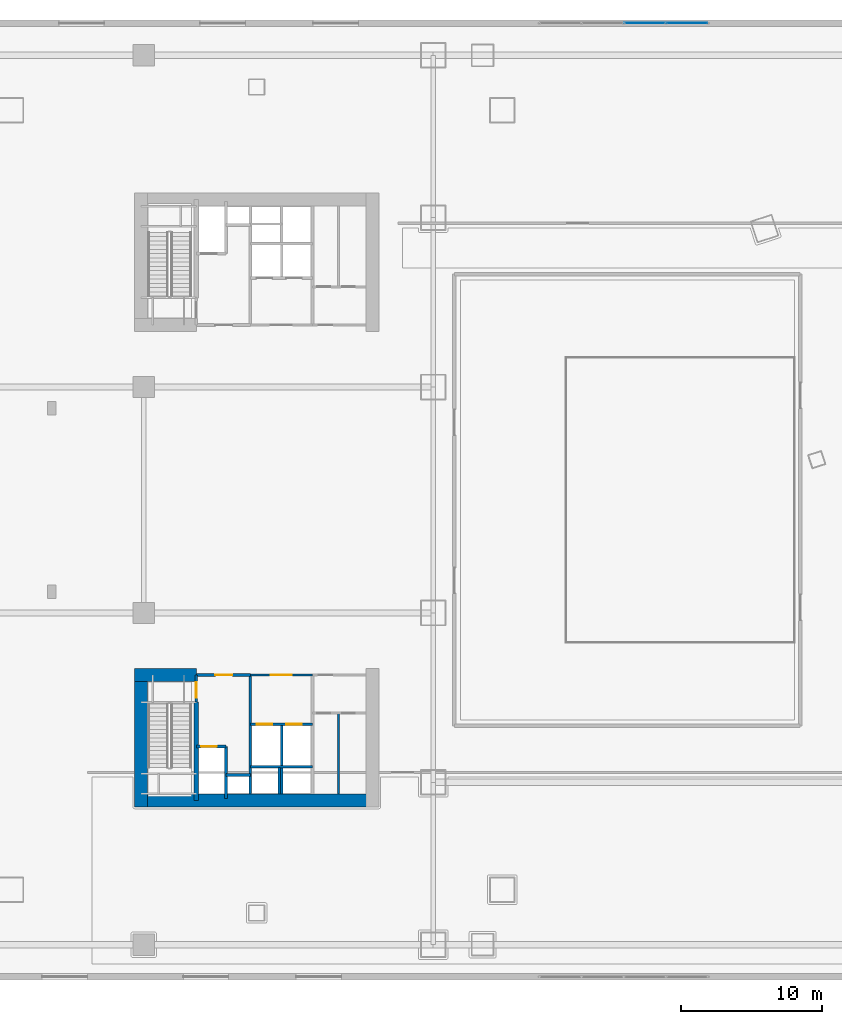
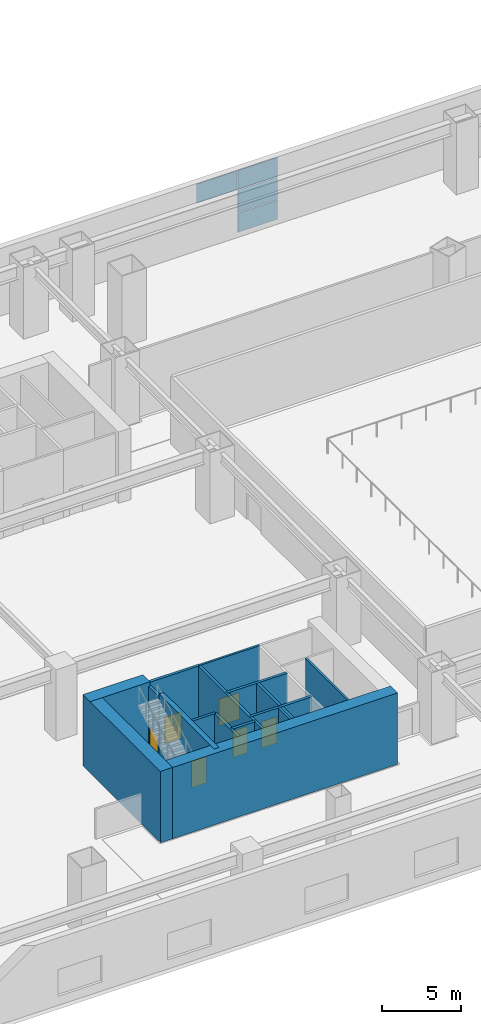
# One storey, part 22 of 35: 16 walls, 6 doors, 4 plates, 6 openings, 1 element without a shape of its own.
"""IFC4 building model written with IfcOpenShell, lengths in metres."""

import ifcopenshell
import ifcopenshell.guid

model = None  # the IFC model being written
_history = None  # IfcOwnerHistory: only IFC2X3 demands one
_inside = {}  # id of a spatial element -> (the spatial element, [elements in it])
_under = {}  # id of a project, library or spatial element -> (it, [spatial elements below it])
_declared = {}  # id of a project -> (the project, [libraries it declares])
_typed = {}  # id of a type object -> (the type object, [elements of that type])
_made_of = {}  # id of a material, layer set ... -> (it, [elements and type objects made of it])


def new_model(schema):
    """Start an empty IFC model of exactly this schema.

    Asked for "IFC4X3", IfcOpenShell would pick the latest addendum, in which some entities
    have other attributes; the version numbers below select the first issue.
    IFC2X3 requires an IfcOwnerHistory on every rooted entity: one is made here for all.
    """
    global model, _history
    if schema == "IFC4X3":
        model = ifcopenshell.file(schema_version=(4, 3, 0, 0))
    else:
        model = ifcopenshell.file(schema=schema)
    _inside.clear()
    _under.clear()
    _declared.clear()
    _typed.clear()
    _made_of.clear()
    _history = None
    if model.schema == "IFC2X3":
        org = make("IfcOrganization", Name="unknown")
        user = make(
            "IfcPersonAndOrganization",
            ThePerson=make("IfcPerson", FamilyName="unknown"),
            TheOrganization=org,
        )
        app = make(
            "IfcApplication",
            ApplicationDeveloper=org,
            Version="unknown",
            ApplicationFullName="unknown",
            ApplicationIdentifier="unknown",
        )
        _history = make(
            "IfcOwnerHistory",
            OwningUser=user,
            OwningApplication=app,
            ChangeAction="ADDED",
            CreationDate=0,
        )
    return model


def make(cls, **values):
    """One entity of the class cls with the attributes given. An attribute that is None is left unset."""
    return model.create_entity(
        cls, **{name: value for name, value in values.items() if value is not None}
    )


def rooted(cls, **values):
    """An entity with a GlobalId (a new one), such as an element, a storey or a relation."""
    return make(cls, GlobalId=ifcopenshell.guid.new(), OwnerHistory=_history, **values)


def si_unit(unit_type, name, prefix=None):
    """IfcSIUnit, for example si_unit("LENGTHUNIT", "METRE", prefix="MILLI")."""
    return make("IfcSIUnit", UnitType=unit_type, Prefix=prefix, Name=name)


def assignment(units):
    """IfcUnitAssignment: the units of a project."""
    return None if units is None else make("IfcUnitAssignment", Units=units)


def point(xyz):
    """IfcCartesianPoint."""
    return None if xyz is None else make("IfcCartesianPoint", Coordinates=xyz)


def direction(xyz):
    """IfcDirection."""
    return None if xyz is None else make("IfcDirection", DirectionRatios=xyz)


def frame(location, z_axis=None, x_axis=None):
    """IfcAxis2Placement3D, a coordinate frame: its origin and axes. An axis left out is left unset."""
    return make(
        "IfcAxis2Placement3D",
        Location=point(location),
        Axis=direction(z_axis),
        RefDirection=direction(x_axis),
    )


def frame_2d(location, x_axis=None):
    """IfcAxis2Placement2D, a coordinate frame in the plane: its origin and x axis."""
    return make(
        "IfcAxis2Placement2D", Location=point(location), RefDirection=direction(x_axis)
    )


def origin():
    """The frame at (0, 0, 0) with its axes left unset."""
    return frame((0.0, 0.0, 0.0))


def origin_2d():
    """The frame at (0, 0) in the plane with its x axis left unset."""
    return frame_2d((0.0, 0.0))


def place(relative_to, where):
    """IfcLocalPlacement: puts the frame where relative to a parent placement (None: the world)."""
    return make(
        "IfcLocalPlacement", PlacementRelTo=relative_to, RelativePlacement=where
    )


def context(
    kind, dimensions, precision=None, world=None, true_north=None, identifier=None
):
    """IfcGeometricRepresentationContext, for example the 3D "Model" context."""
    return make(
        "IfcGeometricRepresentationContext",
        ContextIdentifier=identifier,
        ContextType=kind,
        CoordinateSpaceDimension=dimensions,
        Precision=precision,
        WorldCoordinateSystem=world,
        TrueNorth=true_north,
    )


def subcontext(parent, identifier, kind, view, scale=None):
    """IfcGeometricRepresentationSubContext, for example "Body" below "Model"."""
    return make(
        "IfcGeometricRepresentationSubContext",
        ContextIdentifier=identifier,
        ContextType=kind,
        ParentContext=parent,
        TargetScale=scale,
        TargetView=view,
    )


def project(units=None, contexts=None):
    """IfcProject with its units and contexts."""
    return rooted(
        "IfcProject",
        Name="project",
        RepresentationContexts=contexts,
        UnitsInContext=assignment(units),
    )


def spatial(cls, under=None, at=None, **own):
    """A site, building, storey or space (cls), placed at a placement, below another one or the project."""
    s = rooted(cls, ObjectPlacement=at, **own)
    if under is not None:
        _under.setdefault(under.id(), (under, []))[1].append(s)
    return s


def profile(cls, at=None, kind="AREA", **sizes):
    """A parametric profile (cls). Its sizes go by their IFC names, for example OverallWidth=200.0."""
    return make(cls, ProfileType=kind, Position=at, **sizes)


def rectangle(**sizes):
    """IfcRectangleProfileDef."""
    return profile("IfcRectangleProfileDef", **sizes)


def extrude(swept, where, along, depth):
    """IfcExtrudedAreaSolid: the profile swept, set in the frame where, extruded along a direction by depth."""
    return make(
        "IfcExtrudedAreaSolid",
        SweptArea=swept,
        Position=where,
        ExtrudedDirection=direction(along),
        Depth=depth,
    )


def shape(context_of_items, identifier, shape_type, items):
    """IfcShapeRepresentation: the items that make up one representation, for example the "Body"."""
    return make(
        "IfcShapeRepresentation",
        ContextOfItems=context_of_items,
        RepresentationIdentifier=identifier,
        RepresentationType=shape_type,
        Items=items,
    )


def material(Name=None, Category=None):
    """IfcMaterial."""
    return make("IfcMaterial", Name=Name, Category=Category)


def layer(
    of_material, thickness, ventilated=None, Name=None, Category=None, Priority=None
):
    """IfcMaterialLayer: one layer of a wall or slab, of a material (None: an air gap)."""
    return make(
        "IfcMaterialLayer",
        Material=of_material,
        LayerThickness=thickness,
        IsVentilated=ventilated,
        Name=Name,
        Category=Category,
        Priority=Priority,
    )


def layer_set(layers, Name=None):
    """IfcMaterialLayerSet."""
    return make("IfcMaterialLayerSet", MaterialLayers=layers, LayerSetName=Name)


def made_of(thing, what):
    """Note that an element or type object is made of a material, layer set ...; save() writes the relation."""
    if what is not None:
        _made_of.setdefault(what.id(), (what, []))[1].append(thing)
    return thing


def type_object(cls, material=None, **own):
    """A type object (cls), such as IfcWallType, which elements share."""
    return made_of(rooted(cls, **own), material)


def element(
    cls,
    number,
    at=None,
    inside=None,
    cuts=None,
    type_object=None,
    material=None,
    context=None,
    identifier="Body",
    shape_type=None,
    held_by="IfcProductDefinitionShape",
    body=None,
    shapes=None,
    **own,
):
    """One element of the class cls, such as IfcWall. Its Tag is "e" and its number.

    at: its placement. inside: the storey or other place that contains it. cuts: it is an
    opening in that element (IfcRelVoidsElement). A single representation is given by context,
    identifier, shape_type and body (its items); several are given by shapes. held_by: the class
    of the entity that holds the representations. save() writes the other relations.
    """
    e = rooted(cls, Tag="e%d" % number, ObjectPlacement=at, **own)
    if body is not None:
        shapes = [shape(context, identifier, shape_type, body)]
    if shapes is not None:
        e.Representation = make(held_by, Representations=shapes)
    if inside is not None:
        _inside.setdefault(inside.id(), (inside, []))[1].append(e)
    if cuts is not None:
        rooted(
            "IfcRelVoidsElement", RelatingBuildingElement=cuts, RelatedOpeningElement=e
        )
    if type_object is not None:
        _typed.setdefault(type_object.id(), (type_object, []))[1].append(e)
    return made_of(e, material)


def fill(opening, filler):
    """IfcRelFillsElement: the door or window that sits in an opening."""
    return rooted(
        "IfcRelFillsElement",
        RelatingOpeningElement=opening,
        RelatedBuildingElement=filler,
    )


def aggregate(whole, parts):
    """IfcRelAggregates: a whole, such as a stair, and the parts it consists of."""
    return rooted("IfcRelAggregates", RelatingObject=whole, RelatedObjects=parts)


def save(model, path):
    """Write the relations noted so far, then the file.

    IfcRelAggregates (storeys below a building ...), IfcRelContainedInSpatialStructure (elements
    in a storey), IfcRelDefinesByType, IfcRelAssociatesMaterial and IfcRelDeclares: one each for
    every whole, place, type object, material and project.
    """
    for whole, parts in _under.values():
        aggregate(whole, parts)
    for where, things in _inside.values():
        rooted(
            "IfcRelContainedInSpatialStructure",
            RelatedElements=things,
            RelatingStructure=where,
        )
    for kind, things in _typed.values():
        rooted("IfcRelDefinesByType", RelatedObjects=things, RelatingType=kind)
    for what, things in _made_of.values():
        rooted("IfcRelAssociatesMaterial", RelatedObjects=things, RelatingMaterial=what)
    for by, libraries in _declared.values():
        rooted("IfcRelDeclares", RelatingContext=by, RelatedDefinitions=libraries)
    model.write(path)


model = new_model("IFC4")

# Units and contexts
model_context = context("Model", 3, precision=1e-05, world=origin(), true_north=direction((0.0, 1.0)))
body_context = subcontext(model_context, "Body", "Model", "MODEL_VIEW")
ifc_project = project(units=[si_unit("LENGTHUNIT", "METRE"), si_unit("AREAUNIT", "SQUARE_METRE"), si_unit("VOLUMEUNIT", "CUBIC_METRE"), si_unit("PLANEANGLEUNIT", "RADIAN"), si_unit("MASSUNIT", "GRAM", prefix="KILO")], contexts=[model_context])

# Site, building, storey
site_placement = place(None, origin())
site = spatial("IfcSite", under=ifc_project, at=site_placement, CompositionType="ELEMENT")
building_placement = place(site_placement, origin())
building = spatial("IfcBuilding", under=site, at=building_placement, Name="Qiaolan Cultural Towers", CompositionType="ELEMENT")
storey_placement = place(building_placement, frame((0.0, 0.0, 6.0)))
storey = spatial("IfcBuildingStorey", under=building, at=storey_placement, Name="L01", CompositionType="ELEMENT", Elevation=6.0)

# Curtain wall, plates
ifc_material_1 = material(Name="Unitized Anodized Aluminium Curtain Wall System", Category="aluminium")
ifc_layer_1 = layer(ifc_material_1, 0.199951171875)
ifc_layer_set_1 = layer_set([ifc_layer_1], Name="Unitized Anodized Aluminium Curtain Wall System")
curtain_wall_type = type_object("IfcCurtainWallType", Name="CWS-01", PredefinedType="NOTDEFINED", material=ifc_layer_set_1)
curtain_wall_placement = place(storey_placement, origin())
curtain_wall = element("IfcCurtainWall", 1, at=curtain_wall_placement, inside=storey, type_object=curtain_wall_type, Name="L01 North Atrium Curtain Wall", PredefinedType="NOTDEFINED")
ifc_material_2 = material(Name="Laminated Low-E Insulating Glass Unit", Category="glass")
ifc_layer_2 = layer(ifc_material_2, 0.035888671875)
ifc_layer_set_2 = layer_set([ifc_layer_2], Name="Laminated Low-E Insulating Glass Unit")
plate_type = type_object("IfcPlateType", Name="CWS-01-PNL", PredefinedType="CURTAIN_PANEL", material=ifc_layer_set_2)
plate_1_placement = place(storey_placement, frame((57.5, 67.780029296875, 3.5126953125), z_axis=(0.0, 0.0, 1.0), x_axis=(1.0, 0.0, 0.0)))
plate_1 = element("IfcPlate", 2, at=plate_1_placement, type_object=plate_type, Name="CW-1 panel 3.3", PredefinedType="CURTAIN_PANEL", context=body_context, shape_type="SweptSolid", body=[
    extrude(rectangle(XDim=2.925048828125, YDim=0.035888671875, at=origin_2d()), origin(), (0.0, 0.0, 1.0), 1.472412109375),
])
plate_2_placement = place(storey_placement, frame((60.481201171875, 67.780029296875, 0.21484375), z_axis=(0.0, 0.0, 1.0), x_axis=(1.0, 0.0, 0.0)))
plate_2 = element("IfcPlate", 3, at=plate_2_placement, type_object=plate_type, Name="CW-1 panel 4.1", PredefinedType="CURTAIN_PANEL", context=body_context, shape_type="SweptSolid", body=[
    extrude(rectangle(XDim=2.887451171875, YDim=0.035888671875, at=origin_2d()), origin(), (0.0, 0.0, 1.0), 1.472412109375),
])
plate_3_placement = place(storey_placement, frame((60.481201171875, 67.780029296875, 1.75244140625), z_axis=(0.0, 0.0, 1.0), x_axis=(1.0, 0.0, 0.0)))
plate_3 = element("IfcPlate", 4, at=plate_3_placement, type_object=plate_type, Name="CW-1 panel 4.2", PredefinedType="CURTAIN_PANEL", context=body_context, shape_type="SweptSolid", body=[
    extrude(rectangle(XDim=2.887451171875, YDim=0.035888671875, at=origin_2d()), origin(), (0.0, 0.0, 1.0), 1.695068359375),
])
plate_4_placement = place(storey_placement, frame((60.481201171875, 67.780029296875, 3.5126953125), z_axis=(0.0, 0.0, 1.0), x_axis=(1.0, 0.0, 0.0)))
plate_4 = element("IfcPlate", 5, at=plate_4_placement, type_object=plate_type, Name="CW-1 panel 4.3", PredefinedType="CURTAIN_PANEL", context=body_context, shape_type="SweptSolid", body=[
    extrude(rectangle(XDim=2.887451171875, YDim=0.035888671875, at=origin_2d()), origin(), (0.0, 0.0, 1.0), 1.472412109375),
])
aggregate(curtain_wall, [plate_1, plate_2, plate_3, plate_4])

# Walls
ifc_material_3 = material(Name="Concrete C50", Category="concrete")
ifc_layer_3 = layer(ifc_material_3, 0.35009765625)
ifc_layer_set_3 = layer_set([ifc_layer_3], Name="Concrete C50")
wall_type_1 = type_object("IfcWallType", Name="WL-CORE-350", PredefinedType="SHEAR", material=ifc_layer_set_3)
wall_1_placement = place(storey_placement, frame((25.719970703125, 19.699951171875, 0.0), z_axis=(0.0, 0.0, 1.0), x_axis=(0.0, -1.0, 0.0)))
element("IfcWall", 6, at=wall_1_placement, inside=storey, type_object=wall_type_1, Name="L01 T1-CS Stair Core Dividing Web", PredefinedType="SHEAR", context=body_context, shape_type="SweptSolid", body=[
    extrude(rectangle(XDim=6.97998046875, YDim=0.35009765625, at=frame_2d((3.489990234375, 0.0))), origin(), (0.0, 0.0, 1.0), 5.5),
])
ifc_material_4 = material(Name="Concrete C60", Category="concrete")
ifc_layer_4 = layer(ifc_material_4, 0.89990234375)
ifc_layer_set_4 = layer_set([ifc_layer_4], Name="Concrete C60")
wall_type_2 = type_object("IfcWallType", Name="WL-CORE-900", PredefinedType="SHEAR", material=ifc_layer_set_4)
wall_2_placement = place(storey_placement, frame((21.35009765625, 12.719970703125, 0.0), z_axis=(0.0, 0.0, 1.0), x_axis=(1.0, 0.0, 0.0)))
element("IfcWall", 7, at=wall_2_placement, inside=storey, type_object=wall_type_2, Name="L01 T1-CS Outer Core Shear Wall", PredefinedType="SHEAR", context=body_context, shape_type="SweptSolid", body=[
    extrude(rectangle(XDim=17.2998046875, YDim=0.89990234375, at=frame_2d((8.64990234375, 0.0))), origin(), (0.0, 0.0, 1.0), 5.5),
])
wall_3_placement = place(storey_placement, frame((21.800048828125, 22.050048828125, 0.0), z_axis=(0.0, 0.0, 1.0), x_axis=(0.0, -1.0, 0.0)))
element("IfcWall", 8, at=wall_3_placement, inside=storey, type_object=wall_type_2, Name="L01 T1-CS West Core Shear Wall", PredefinedType="SHEAR", context=body_context, shape_type="SweptSolid", body=[
    extrude(rectangle(XDim=9.780029296875, YDim=0.89990234375, at=frame_2d((4.89013671875, 0.0))), origin(), (0.0, 0.0, 1.0), 5.5),
])
wall_4_placement = place(storey_placement, frame((21.35009765625, 21.60009765625, 0.0), z_axis=(0.0, 0.0, 1.0), x_axis=(1.0, 0.0, 0.0)))
element("IfcWall", 9, at=wall_4_placement, inside=storey, type_object=wall_type_2, Name="L01 T1-CS Stair Front Shear Wall", PredefinedType="SHEAR", context=body_context, shape_type="SweptSolid", body=[
    extrude(rectangle(XDim=4.369873046875, YDim=0.89990234375, at=frame_2d((2.18505859375, 0.0))), origin(), (0.0, 0.0, 1.0), 5.5),
])

# Wall, opening, door
ifc_material_5 = material(Name="Concrete C35 Fire Wall", Category="concrete")
ifc_layer_5 = layer(ifc_material_5, 0.199951171875)
ifc_layer_set_5 = layer_set([ifc_layer_5], Name="Concrete C35 Fire Wall")
wall_type_3 = type_object("IfcWallType", Name="WL-FIRE-200", PredefinedType="PARTITIONING", material=ifc_layer_set_5)
wall_5_placement = place(storey_placement, frame((25.719970703125, 21.60009765625, 0.0), z_axis=(0.0, 0.0, 1.0), x_axis=(0.0, -1.0, 0.0)))
wall_5 = element("IfcWall", 10, at=wall_5_placement, inside=storey, type_object=wall_type_3, Name="L01 T1-CS Smokeproof Stair Entry Wall", PredefinedType="PARTITIONING", context=body_context, shape_type="SweptSolid", body=[
    extrude(rectangle(XDim=1.900146484375, YDim=0.199951171875, at=frame_2d((0.9501953125, 0.0))), origin(), (0.0, 0.0, 1.0), 5.18505859375),
])
opening_1_placement = place(wall_5_placement, frame((0.52001953125, 0.0, 0.0)))
opening_1 = element("IfcOpeningElement", 11, at=opening_1_placement, cuts=wall_5, Name="Opening FD-04", PredefinedType="OPENING", context=body_context, shape_type="SweptSolid", body=[
    extrude(rectangle(XDim=1.10009765625, YDim=2.050048828125, at=frame_2d((0.550048828125, 1.02490234375))), frame((0.0, 0.10986328125, 0.0), z_axis=(0.0, -1.0, 0.0), x_axis=(1.0, 0.0, 0.0)), (0.0, 0.0, 1.0), 0.219970703125),
])
ifc_material_6 = material(Name="Galvanized Steel Command Fire Door", Category="steel")
door_type_1 = type_object("IfcDoorType", Name="DR-FD90-1100", OperationType="NOTDEFINED", PredefinedType="DOOR", material=ifc_material_6)
door_1_placement = place(opening_1_placement, origin())
door_1 = element("IfcDoor", 12, at=door_1_placement, inside=storey, type_object=door_type_1, Name="L01 ST-W1 Smokeproof Stair Fire Door", OperationType="SINGLE_SWING_LEFT", OverallHeight=2.050048828125, OverallWidth=1.10009765625, PredefinedType="DOOR", context=body_context, shape_type="SweptSolid", body=[
    extrude(rectangle(XDim=1.10009765625, YDim=2.050048828125, at=frame_2d((0.550048828125, 1.02490234375))), frame((0.0, 0.02490234375, 0.0), z_axis=(0.0, -1.0, 0.0), x_axis=(1.0, 0.0, 0.0)), (0.0, 0.0, 1.0), 0.050048828125),
])
fill(opening_1, door_1)

# Wall
wall_6_placement = place(storey_placement, frame((29.550048828125, 21.60009765625, 0.0), z_axis=(0.0, 0.0, 1.0), x_axis=(0.0, -1.0, 0.0)))
element("IfcWall", 13, at=wall_6_placement, inside=storey, type_object=wall_type_3, Name="L01 T1-CS Firefighting Zone Wall", PredefinedType="PARTITIONING", context=body_context, shape_type="SweptSolid", body=[
    extrude(rectangle(XDim=8.43017578125, YDim=0.199951171875, at=frame_2d((4.215087890625, 0.0))), origin(), (0.0, 0.0, 1.0), 5.18505859375),
])

# Wall, opening, door
wall_7_placement = place(storey_placement, frame((25.719970703125, 21.60009765625, 0.0), z_axis=(0.0, 0.0, 1.0), x_axis=(1.0, 0.0, 0.0)))
wall_7 = element("IfcWall", 14, at=wall_7_placement, inside=storey, type_object=wall_type_3, Name="L01 T1-CS Firefighting Lobby Front Wall", PredefinedType="PARTITIONING", context=body_context, shape_type="SweptSolid", body=[
    extrude(rectangle(XDim=3.830078125, YDim=0.199951171875, at=frame_2d((1.9150390625, 0.0))), origin(), (0.0, 0.0, 1.0), 5.18505859375),
])
opening_2_placement = place(wall_7_placement, frame((1.35009765625, 0.0, 0.0)))
opening_2 = element("IfcOpeningElement", 15, at=opening_2_placement, cuts=wall_7, Name="Opening FD-03", PredefinedType="OPENING", context=body_context, shape_type="SweptSolid", body=[
    extrude(rectangle(XDim=1.199951171875, YDim=2.050048828125, at=frame_2d((0.60009765625, 1.02490234375))), frame((0.0, 0.10986328125, 0.0), z_axis=(0.0, -1.0, 0.0), x_axis=(1.0, 0.0, 0.0)), (0.0, 0.0, 1.0), 0.219970703125),
])
ifc_material_7 = material(Name="Galvanized Steel Smokeproof Lobby Fire Door", Category="steel")
door_type_2 = type_object("IfcDoorType", Name="DR-FD90-1200", OperationType="NOTDEFINED", PredefinedType="DOOR", material=ifc_material_7)
door_2_placement = place(opening_2_placement, origin())
door_2 = element("IfcDoor", 16, at=door_2_placement, inside=storey, type_object=door_type_2, Name="L01 FFL-W1 Firefighting Lobby Fire Door", OperationType="SINGLE_SWING_LEFT", OverallHeight=2.050048828125, OverallWidth=1.199951171875, PredefinedType="DOOR", context=body_context, shape_type="SweptSolid", body=[
    extrude(rectangle(XDim=1.199951171875, YDim=2.050048828125, at=frame_2d((0.60009765625, 1.02490234375))), frame((0.0, 0.02490234375, 0.0), z_axis=(0.0, -1.0, 0.0), x_axis=(1.0, 0.0, 0.0)), (0.0, 0.0, 1.0), 0.050048828125),
])
fill(opening_2, door_2)

wall_8_placement = place(storey_placement, frame((25.719970703125, 16.550048828125, 0.0), z_axis=(0.0, 0.0, 1.0), x_axis=(1.0, 0.0, 0.0)))
wall_8 = element("IfcWall", 17, at=wall_8_placement, inside=storey, type_object=wall_type_3, Name="L01 T1-CS Firefighting Shaft Front Wall", PredefinedType="PARTITIONING", context=body_context, shape_type="SweptSolid", body=[
    extrude(rectangle(XDim=2.10009765625, YDim=0.199951171875, at=frame_2d((1.050048828125, 0.0))), origin(), (0.0, 0.0, 1.0), 5.18505859375),
])
opening_3_placement = place(wall_8_placement, frame((0.35009765625, 0.0, 0.0)))
opening_3 = element("IfcOpeningElement", 18, at=opening_3_placement, cuts=wall_8, Name="Opening LD-01", PredefinedType="OPENING", context=body_context, shape_type="SweptSolid", body=[
    extrude(rectangle(XDim=1.10009765625, YDim=2.050048828125, at=frame_2d((0.550048828125, 1.02490234375))), frame((0.0, 0.10986328125, 0.0), z_axis=(0.0, -1.0, 0.0), x_axis=(1.0, 0.0, 0.0)), (0.0, 0.0, 1.0), 0.219970703125),
])
ifc_material_8 = material(Name="Brushed Stainless Steel S30408 Centre-Parting Lift Landing Door", Category="steel")
door_type_3 = type_object("IfcDoorType", Name="DR-LIFT-1100", OperationType="NOTDEFINED", PredefinedType="DOOR", material=ifc_material_8)
door_3_placement = place(opening_3_placement, origin())
door_3 = element("IfcDoor", 19, at=door_3_placement, inside=storey, type_object=door_type_3, Name="L01 FFL-W1 Firefighting Lift Landing Door", OperationType="DOUBLE_DOOR_SLIDING", OverallHeight=2.050048828125, OverallWidth=1.10009765625, PredefinedType="DOOR", context=body_context, shape_type="SweptSolid", body=[
    extrude(rectangle(XDim=1.10009765625, YDim=2.050048828125, at=frame_2d((0.550048828125, 1.02490234375))), frame((0.0, 0.02490234375, 0.0), z_axis=(0.0, -1.0, 0.0), x_axis=(1.0, 0.0, 0.0)), (0.0, 0.0, 1.0), 0.050048828125),
])
fill(opening_3, door_3)

# Walls
wall_9_placement = place(storey_placement, frame((27.820068359375, 16.550048828125, 0.0), z_axis=(0.0, 0.0, 1.0), x_axis=(0.0, -1.0, 0.0)))
element("IfcWall", 20, at=wall_9_placement, inside=storey, type_object=wall_type_3, Name="L01 T1-CS Firefighting Hoistway East Wall", PredefinedType="PARTITIONING", context=body_context, shape_type="SweptSolid", body=[
    extrude(rectangle(XDim=3.699951171875, YDim=0.199951171875, at=frame_2d((1.85009765625, 0.0))), origin(), (0.0, 0.0, 1.0), 5.18505859375),
])
wall_10_placement = place(storey_placement, frame((27.820068359375, 14.52001953125, 0.0), z_axis=(0.0, 0.0, 1.0), x_axis=(1.0, 0.0, 0.0)))
element("IfcWall", 21, at=wall_10_placement, inside=storey, type_object=wall_type_3, Name="L01 T1-CS Pressurization Shaft Front Wall", PredefinedType="PARTITIONING", context=body_context, shape_type="SweptSolid", body=[
    extrude(rectangle(XDim=1.72998046875, YDim=0.199951171875, at=frame_2d((0.864990234375, 0.0))), origin(), (0.0, 0.0, 1.0), 5.18505859375),
])

# Wall, openings, doors
wall_11_placement = place(storey_placement, frame((29.550048828125, 18.1201171875, 0.0), z_axis=(0.0, 0.0, 1.0), x_axis=(1.0, 0.0, 0.0)))
wall_11 = element("IfcWall", 22, at=wall_11_placement, inside=storey, type_object=wall_type_3, Name="L01 T1-CS Passenger Lift Shaft Front Wall", PredefinedType="PARTITIONING", context=body_context, shape_type="SweptSolid", body=[
    extrude(rectangle(XDim=4.39990234375, YDim=0.199951171875, at=frame_2d((2.199951171875, 0.0))), origin(), (0.0, 0.0, 1.0), 5.18505859375),
])
opening_4_placement = place(wall_11_placement, frame((0.449951171875, 0.0, 0.0)))
opening_4 = element("IfcOpeningElement", 23, at=opening_4_placement, cuts=wall_11, Name="Opening LD-01", PredefinedType="OPENING", context=body_context, shape_type="SweptSolid", body=[
    extrude(rectangle(XDim=1.10009765625, YDim=2.050048828125, at=frame_2d((0.550048828125, 1.02490234375))), frame((0.0, 0.10986328125, 0.0), z_axis=(0.0, -1.0, 0.0), x_axis=(1.0, 0.0, 0.0)), (0.0, 0.0, 1.0), 0.219970703125),
])
opening_5_placement = place(wall_11_placement, frame((2.550048828125, 0.0, 0.0)))
opening_5 = element("IfcOpeningElement", 24, at=opening_5_placement, cuts=wall_11, Name="Opening LD-01", PredefinedType="OPENING", context=body_context, shape_type="SweptSolid", body=[
    extrude(rectangle(XDim=1.10009765625, YDim=2.050048828125, at=frame_2d((0.550048828125, 1.02490234375))), frame((0.0, 0.10986328125, 0.0), z_axis=(0.0, -1.0, 0.0), x_axis=(1.0, 0.0, 0.0)), (0.0, 0.0, 1.0), 0.219970703125),
])
door_4_placement = place(opening_4_placement, origin())
door_4 = element("IfcDoor", 25, at=door_4_placement, inside=storey, type_object=door_type_3, Name="L01 Passenger Lift 1 Landing Door", OperationType="DOUBLE_DOOR_SLIDING", OverallHeight=2.050048828125, OverallWidth=1.10009765625, PredefinedType="DOOR", context=body_context, shape_type="SweptSolid", body=[
    extrude(rectangle(XDim=1.10009765625, YDim=2.050048828125, at=frame_2d((0.550048828125, 1.02490234375))), frame((0.0, 0.02490234375, 0.0), z_axis=(0.0, -1.0, 0.0), x_axis=(1.0, 0.0, 0.0)), (0.0, 0.0, 1.0), 0.050048828125),
])
fill(opening_4, door_4)
door_5_placement = place(opening_5_placement, origin())
door_5 = element("IfcDoor", 26, at=door_5_placement, inside=storey, type_object=door_type_3, Name="L01 Passenger Lift 2 Landing Door", OperationType="DOUBLE_DOOR_SLIDING", OverallHeight=2.050048828125, OverallWidth=1.10009765625, PredefinedType="DOOR", context=body_context, shape_type="SweptSolid", body=[
    extrude(rectangle(XDim=1.10009765625, YDim=2.050048828125, at=frame_2d((0.550048828125, 1.02490234375))), frame((0.0, 0.02490234375, 0.0), z_axis=(0.0, -1.0, 0.0), x_axis=(1.0, 0.0, 0.0)), (0.0, 0.0, 1.0), 0.050048828125),
])
fill(opening_5, door_5)

# Walls
wall_12_placement = place(storey_placement, frame((31.780029296875, 18.1201171875, 0.0), z_axis=(0.0, 0.0, 1.0), x_axis=(0.0, -1.0, 0.0)))
element("IfcWall", 27, at=wall_12_placement, inside=storey, type_object=wall_type_3, Name="L01 T1-CS Lift Shaft Divider Wall", PredefinedType="PARTITIONING", context=body_context, shape_type="SweptSolid", body=[
    extrude(rectangle(XDim=4.9501953125, YDim=0.199951171875, at=frame_2d((2.47509765625, 0.0))), origin(), (0.0, 0.0, 1.0), 5.18505859375),
])
wall_13_placement = place(storey_placement, frame((29.550048828125, 15.10009765625, 0.0), z_axis=(0.0, 0.0, 1.0), x_axis=(1.0, 0.0, 0.0)))
element("IfcWall", 28, at=wall_13_placement, inside=storey, type_object=wall_type_3, Name="L01 T1-CS Passenger Lift Shaft Back Wall", PredefinedType="PARTITIONING", context=body_context, shape_type="SweptSolid", body=[
    extrude(rectangle(XDim=4.39990234375, YDim=0.199951171875, at=frame_2d((2.199951171875, 0.0))), origin(), (0.0, 0.0, 1.0), 5.18505859375),
])

# Wall, opening, door
ifc_material_9 = material(Name="Autoclaved Aerated Concrete Block B06", Category="concrete")
ifc_layer_6 = layer(ifc_material_9, 0.14990234375)
ifc_layer_set_6 = layer_set([ifc_layer_6], Name="Autoclaved Aerated Concrete Block B06")
wall_type_4 = type_object("IfcWallType", Name="WL-PART-150", PredefinedType="PARTITIONING", material=ifc_layer_set_6)
wall_14_placement = place(storey_placement, frame((29.550048828125, 21.60009765625, 0.0), z_axis=(0.0, 0.0, 1.0), x_axis=(1.0, 0.0, 0.0)))
wall_14 = element("IfcWall", 29, at=wall_14_placement, inside=storey, type_object=wall_type_4, Name="L01 T1-CS Passenger Lift Lobby Front Wall", PredefinedType="PARTITIONING", context=body_context, shape_type="SweptSolid", body=[
    extrude(rectangle(XDim=4.39990234375, YDim=0.14990234375, at=frame_2d((2.199951171875, 0.0))), origin(), (0.0, 0.0, 1.0), 5.18505859375),
])
opening_6_placement = place(wall_14_placement, frame((1.449951171875, 0.0, 0.0)))
opening_6 = element("IfcOpeningElement", 30, at=opening_6_placement, cuts=wall_14, Name="Opening FD-05", PredefinedType="OPENING", context=body_context, shape_type="SweptSolid", body=[
    extrude(rectangle(XDim=1.5, YDim=2.050048828125, at=frame_2d((0.75, 1.02490234375))), frame((0.0, 0.0849609375, 0.0), z_axis=(0.0, -1.0, 0.0), x_axis=(1.0, 0.0, 0.0)), (0.0, 0.0, 1.0), 0.169921875),
])
ifc_material_10 = material(Name="Painted Steel Lift Lobby Fire Door", Category="steel")
door_type_4 = type_object("IfcDoorType", Name="DR-FD60-1500", OperationType="NOTDEFINED", PredefinedType="DOOR", material=ifc_material_10)
door_6_placement = place(opening_6_placement, origin())
door_6 = element("IfcDoor", 31, at=door_6_placement, inside=storey, type_object=door_type_4, Name="L01 Passenger Lift Lobby Entrance", OperationType="SINGLE_SWING_LEFT", OverallHeight=2.050048828125, OverallWidth=1.5, PredefinedType="DOOR", context=body_context, shape_type="SweptSolid", body=[
    extrude(rectangle(XDim=1.5, YDim=2.050048828125, at=frame_2d((0.75, 1.02490234375))), frame((0.0, 0.02490234375, 0.0), z_axis=(0.0, -1.0, 0.0), x_axis=(1.0, 0.0, 0.0)), (0.0, 0.0, 1.0), 0.050048828125),
])
fill(opening_6, door_6)

# Walls
wall_15_placement = place(storey_placement, frame((31.60009765625, 15.050048828125, 0.0), z_axis=(0.0, 0.0, 1.0), x_axis=(0.0, -1.0, 0.0)))
element("IfcWall", 32, at=wall_15_placement, inside=storey, type_object=wall_type_4, Name="L01 T1-CS Core Rear Split Wall", PredefinedType="PARTITIONING", context=body_context, shape_type="SweptSolid", body=[
    extrude(rectangle(XDim=1.880126953125, YDim=0.14990234375, at=frame_2d((0.93994140625, 0.0))), origin(), (0.0, 0.0, 1.0), 5.18505859375),
])
wall_16_placement = place(storey_placement, frame((35.800048828125, 18.89990234375, 0.0), z_axis=(0.0, 0.0, 1.0), x_axis=(0.0, -1.0, 0.0)))
element("IfcWall", 33, at=wall_16_placement, inside=storey, type_object=wall_type_4, Name="L01 T1-CS Restroom Divider Wall", PredefinedType="PARTITIONING", context=body_context, shape_type="SweptSolid", body=[
    extrude(rectangle(XDim=5.72998046875, YDim=0.14990234375, at=frame_2d((2.864990234375, 0.0))), origin(), (0.0, 0.0, 1.0), 5.18505859375),
])

save(model, "model.ifc")
